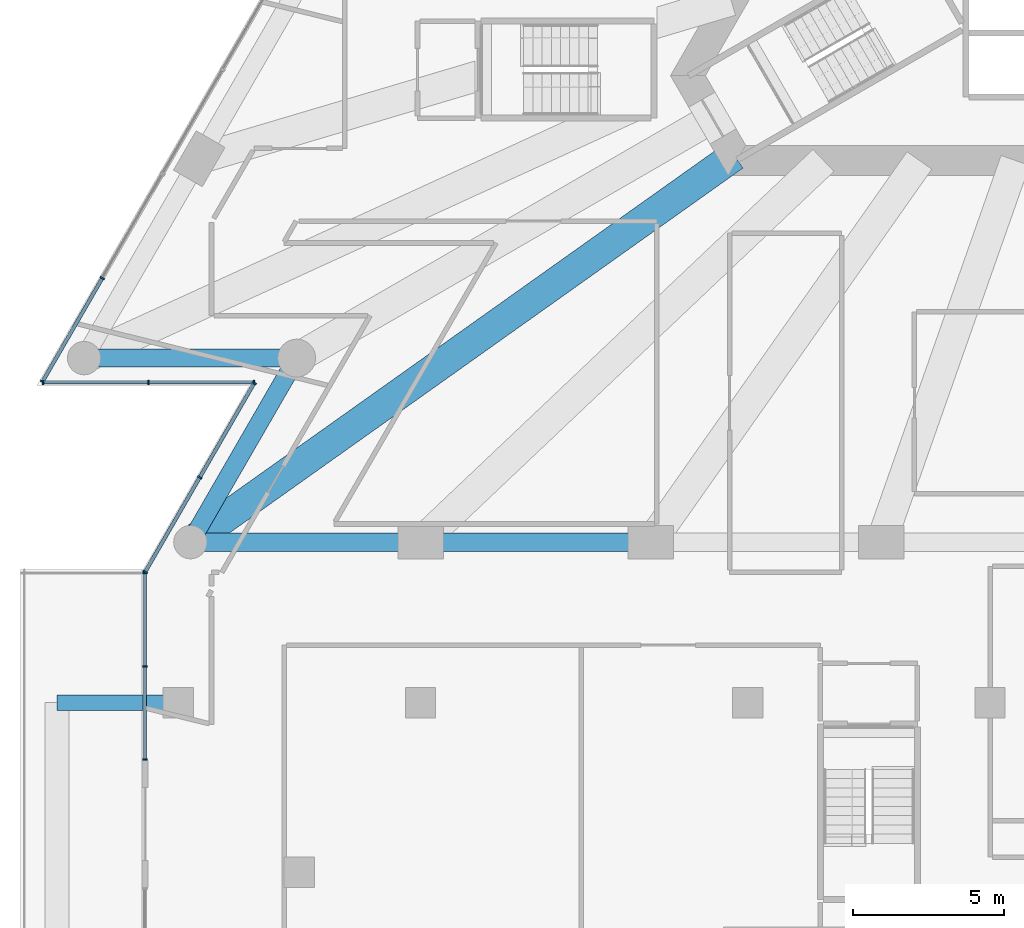
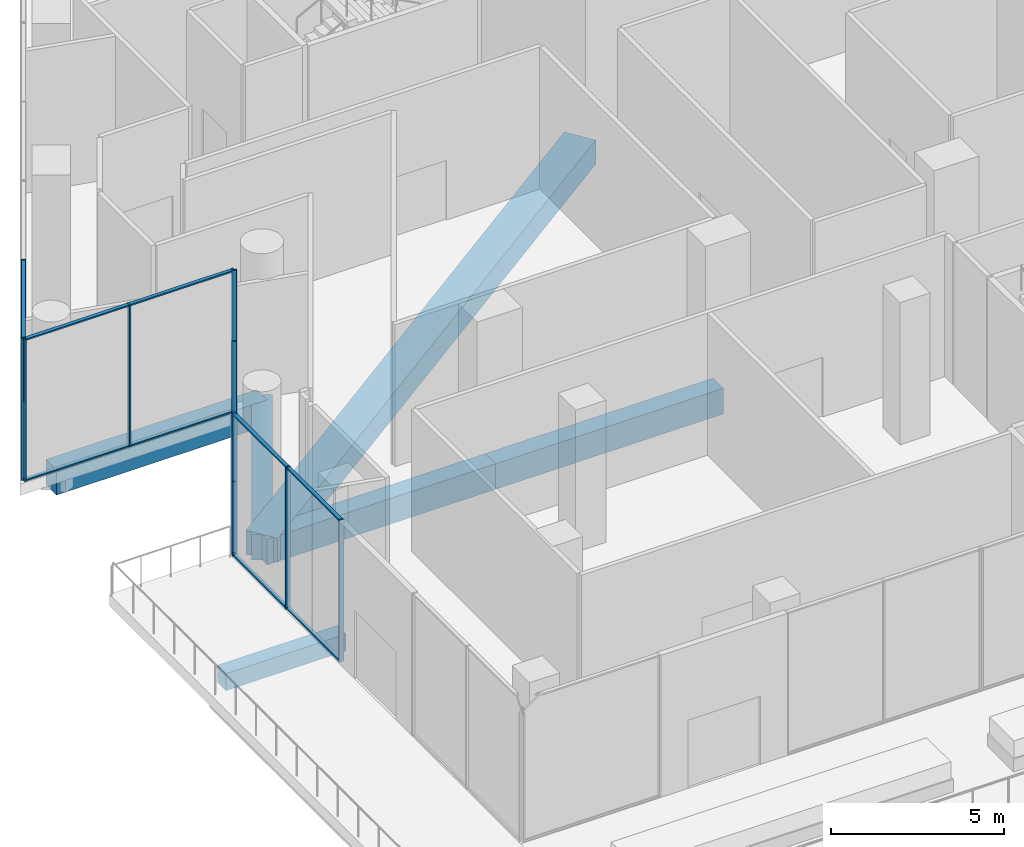
# One storey, part 4 of 32: 25 members, 6 beams, 4 elements without a shape of their own.
"""IFC4 building model written with IfcOpenShell, lengths in metres."""

from ifc_helpers import new_model, si_unit, direction, frame, origin, origin_2d, place, context, subcontext, project, spatial, rectangle, extrude, material, layer, layer_set, material_profile, profile_set, type_object, element, aggregate, save


model = new_model("IFC4")

# Units and contexts
model_context = context("Model", 3, precision=1e-05, world=origin(), true_north=direction((0.0, 1.0)))
body_context = subcontext(model_context, "Body", "Model", "MODEL_VIEW")
ifc_project = project(units=[si_unit("LENGTHUNIT", "METRE"), si_unit("AREAUNIT", "SQUARE_METRE"), si_unit("VOLUMEUNIT", "CUBIC_METRE"), si_unit("PLANEANGLEUNIT", "RADIAN"), si_unit("MASSUNIT", "GRAM", prefix="KILO")], contexts=[model_context])

# Site, building, storey
site_placement = place(None, origin())
site = spatial("IfcSite", under=ifc_project, at=site_placement, CompositionType="ELEMENT")
building_placement = place(site_placement, origin())
building = spatial("IfcBuilding", under=site, at=building_placement, Name="Triada Interchange Tower", CompositionType="ELEMENT")
storey_placement = place(building_placement, frame((0.0, 0.0, 14.5)))
storey = spatial("IfcBuildingStorey", under=building, at=storey_placement, Name="L02", CompositionType="ELEMENT", Elevation=14.5)

# Curtain wall, members
ifc_material_1 = material(Name="Aluminium framed glazing", Category="aluminium")
ifc_layer = layer(ifc_material_1, 0.199951171875)
ifc_layer_set = layer_set([ifc_layer], Name="Curtain wall Retail shopfront")
curtain_wall_type = type_object("IfcCurtainWallType", Name="Curtain wall Retail shopfront", PredefinedType="NOTDEFINED", material=ifc_layer_set)
curtain_wall_1_placement = place(storey_placement, origin())
curtain_wall_1 = element("IfcCurtainWall", 1, at=curtain_wall_1_placement, inside=storey, type_object=curtain_wall_type, Name="Retail shopfront CW030 L02", PredefinedType="NOTDEFINED")
ifc_material_2 = material(Name="Aluminium", Category="aluminium")
ifc_material_profile_1 = material_profile(ifc_material_2, rectangle(XDim=0.14990234375, YDim=0.050048828125, at=origin_2d()), Name="Aluminium mullion")
ifc_profile_set_1 = profile_set([ifc_material_profile_1], Name="Aluminium")
member_type_1 = type_object("IfcMemberType", Name="Mullion Retail shopfront 150x50", PredefinedType="MULLION", material=ifc_profile_set_1)
member_1_placement = place(storey_placement, frame((-33.305908203125, -12.886474609375, 0.0), z_axis=(0.0, 0.0, 1.0), x_axis=(0.86604927658, -0.499958648825, 0.0)))
member_1 = element("IfcMember", 2, at=member_1_placement, type_object=member_type_1, Name="CW030 mullion 2", PredefinedType="MULLION", context=body_context, shape_type="SweptSolid", body=[
    extrude(rectangle(XDim=0.14990234375, YDim=0.050048828125, at=origin_2d()), origin(), (0.0, 0.0, 1.0), 5.0),
])
member_2_placement = place(storey_placement, frame((-35.278564453125, -16.303466796875, 0.0), z_axis=(0.0, 0.0, 1.0), x_axis=(0.86604927658, -0.499958648825, 0.0)))
member_2 = element("IfcMember", 3, at=member_2_placement, type_object=member_type_1, Name="CW030 mullion 3", PredefinedType="MULLION", context=body_context, shape_type="SweptSolid", body=[
    extrude(rectangle(XDim=0.14990234375, YDim=0.050048828125, at=origin_2d()), origin(), (0.0, 0.0, 1.0), 5.0),
])

curtain_wall_2_placement = place(storey_placement, origin())
curtain_wall_2 = element("IfcCurtainWall", 4, at=curtain_wall_2_placement, inside=storey, type_object=curtain_wall_type, Name="Retail shopfront CW031 L02", PredefinedType="NOTDEFINED")
member_3_placement = place(storey_placement, frame((-35.26611328125, -16.324951171875, 0.0), z_axis=(0.0, 0.0, 1.0), x_axis=(0.0, 1.0, 0.0)))
member_3 = element("IfcMember", 5, at=member_3_placement, type_object=member_type_1, Name="CW031 mullion 1", PredefinedType="MULLION", context=body_context, shape_type="SweptSolid", body=[
    extrude(rectangle(XDim=0.14990234375, YDim=0.050048828125, at=origin_2d()), origin(), (0.0, 0.0, 1.0), 5.0),
])
member_4_placement = place(storey_placement, frame((-31.783447265625, -16.324951171875, 0.0), z_axis=(0.0, 0.0, 1.0), x_axis=(0.0, 1.0, 0.0)))
member_4 = element("IfcMember", 6, at=member_4_placement, type_object=member_type_1, Name="CW031 mullion 2", PredefinedType="MULLION", context=body_context, shape_type="SweptSolid", body=[
    extrude(rectangle(XDim=0.14990234375, YDim=0.050048828125, at=origin_2d()), origin(), (0.0, 0.0, 1.0), 5.0),
])
member_5_placement = place(storey_placement, frame((-28.301025390625, -16.324951171875, 0.0), z_axis=(0.0, 0.0, 1.0), x_axis=(0.0, 1.0, 0.0)))
member_5 = element("IfcMember", 7, at=member_5_placement, type_object=member_type_1, Name="CW031 mullion 3", PredefinedType="MULLION", context=body_context, shape_type="SweptSolid", body=[
    extrude(rectangle(XDim=0.14990234375, YDim=0.050048828125, at=origin_2d()), origin(), (0.0, 0.0, 1.0), 5.0),
])

curtain_wall_3_placement = place(storey_placement, origin())
curtain_wall_3 = element("IfcCurtainWall", 8, at=curtain_wall_3_placement, inside=storey, type_object=curtain_wall_type, Name="Retail shopfront CW032 L02", PredefinedType="NOTDEFINED")
member_6_placement = place(storey_placement, frame((-28.28857421875, -16.3466796875, 0.0), z_axis=(0.0, 0.0, 1.0), x_axis=(0.866077569894, -0.499909634761, 0.0)))
member_6 = element("IfcMember", 9, at=member_6_placement, type_object=member_type_1, Name="CW032 mullion 1", PredefinedType="MULLION", context=body_context, shape_type="SweptSolid", body=[
    extrude(rectangle(XDim=0.14990234375, YDim=0.050048828125, at=origin_2d()), origin(), (0.0, 0.0, 1.0), 5.0),
])
member_7_placement = place(storey_placement, frame((-30.0869140625, -19.46240234375, 0.0), z_axis=(0.0, 0.0, 1.0), x_axis=(0.866077569894, -0.499909634761, 0.0)))
member_7 = element("IfcMember", 10, at=member_7_placement, type_object=member_type_1, Name="CW032 mullion 2", PredefinedType="MULLION", context=body_context, shape_type="SweptSolid", body=[
    extrude(rectangle(XDim=0.14990234375, YDim=0.050048828125, at=origin_2d()), origin(), (0.0, 0.0, 1.0), 5.0),
])
member_8_placement = place(storey_placement, frame((-31.885498046875, -22.578369140625, 0.0), z_axis=(0.0, 0.0, 1.0), x_axis=(0.866077569894, -0.499909634761, 0.0)))
member_8 = element("IfcMember", 11, at=member_8_placement, type_object=member_type_1, Name="CW032 mullion 3", PredefinedType="MULLION", context=body_context, shape_type="SweptSolid", body=[
    extrude(rectangle(XDim=0.14990234375, YDim=0.050048828125, at=origin_2d()), origin(), (0.0, 0.0, 1.0), 5.0),
])

curtain_wall_4_placement = place(storey_placement, origin())
curtain_wall_4 = element("IfcCurtainWall", 12, at=curtain_wall_4_placement, inside=storey, type_object=curtain_wall_type, Name="Retail shopfront CW033 L02", PredefinedType="NOTDEFINED")
member_9_placement = place(storey_placement, frame((-31.89990234375, -22.625, 0.0), z_axis=(0.0, 0.0, 1.0), x_axis=(1.0, 0.0, 0.0)))
member_9 = element("IfcMember", 13, at=member_9_placement, type_object=member_type_1, Name="CW033 mullion 1", PredefinedType="MULLION", context=body_context, shape_type="SweptSolid", body=[
    extrude(rectangle(XDim=0.14990234375, YDim=0.050048828125, at=origin_2d()), origin(), (0.0, 0.0, 1.0), 5.0),
])
member_10_placement = place(storey_placement, frame((-31.89990234375, -25.699951171875, 0.0), z_axis=(0.0, 0.0, 1.0), x_axis=(1.0, 0.0, 0.0)))
member_10 = element("IfcMember", 14, at=member_10_placement, type_object=member_type_1, Name="CW033 mullion 2", PredefinedType="MULLION", context=body_context, shape_type="SweptSolid", body=[
    extrude(rectangle(XDim=0.14990234375, YDim=0.050048828125, at=origin_2d()), origin(), (0.0, 0.0, 1.0), 5.0),
])
member_11_placement = place(storey_placement, frame((-31.89990234375, -28.77490234375, 0.0), z_axis=(0.0, 0.0, 1.0), x_axis=(1.0, 0.0, 0.0)))
member_11 = element("IfcMember", 15, at=member_11_placement, type_object=member_type_1, Name="CW033 mullion 3", PredefinedType="MULLION", context=body_context, shape_type="SweptSolid", body=[
    extrude(rectangle(XDim=0.14990234375, YDim=0.050048828125, at=origin_2d()), origin(), (0.0, 0.0, 1.0), 5.0),
])

# Beams
ifc_material_3 = material(Name="Concrete C50/60", Category="concrete")
ifc_material_profile_2 = material_profile(ifc_material_3, rectangle(XDim=1.0, YDim=0.85009765625, at=origin_2d()), Name="RC 1000x850")
ifc_profile_set_2 = profile_set([ifc_material_profile_2], Name="Concrete C50/60")
beam_type_1 = type_object("IfcBeamType", Name="Radial band beam P RC 1000x850", PredefinedType="BEAM", material=ifc_profile_set_2)
beam_1_placement = place(storey_placement, frame((-30.39697265625, -21.60009765625, -0.824951171875), z_axis=(0.815163189691, 0.579231364977, 0.0), x_axis=(-0.579231364977, 0.815163189691, 0.0)))
element("IfcBeam", 16, at=beam_1_placement, inside=storey, type_object=beam_type_1, Name="Radial band beam BP11 L02", PredefinedType="BEAM", context=body_context, shape_type="SweptSolid", body=[
    extrude(rectangle(XDim=1.0, YDim=0.85009765625, at=origin_2d()), origin(), (0.0, 0.0, 1.0), 22.0224609375),
])
ifc_material_profile_3 = material_profile(ifc_material_3, rectangle(XDim=0.60009765625, YDim=0.89990234375, at=origin_2d()), Name="RC 600x900")
ifc_profile_set_3 = profile_set([ifc_material_profile_3], Name="Concrete C50/60")
beam_type_2 = type_object("IfcBeamType", Name="Spandrel beam P RC 600x900", PredefinedType="BEAM", material=ifc_profile_set_3)
beam_2_placement = place(storey_placement, frame((-33.905029296875, -15.52490234375, -0.85009765625), z_axis=(1.0, 0.0, 0.0), x_axis=(0.0, 1.0, 0.0)))
element("IfcBeam", 17, at=beam_2_placement, inside=storey, type_object=beam_type_2, Name="Spandrel beam EP09 L02", PredefinedType="BEAM", context=body_context, shape_type="SweptSolid", body=[
    extrude(rectangle(XDim=0.60009765625, YDim=0.89990234375, at=origin_2d()), origin(), (0.0, 0.0, 1.0), 7.01513671875),
])
beam_3_placement = place(storey_placement, frame((-26.889892578125, -15.52490234375, -0.85009765625), z_axis=(-0.499953429515, -0.866052289597, 0.0), x_axis=(0.866052289597, -0.499953429515, 0.0)))
element("IfcBeam", 18, at=beam_3_placement, inside=storey, type_object=beam_type_2, Name="Spandrel beam EP10 L02", PredefinedType="BEAM", context=body_context, shape_type="SweptSolid", body=[
    extrude(rectangle(XDim=0.60009765625, YDim=0.89990234375, at=origin_2d()), origin(), (0.0, 0.0, 1.0), 7.014892578125),
])
beam_4_placement = place(storey_placement, frame((-30.39697265625, -21.60009765625, -0.85009765625), z_axis=(1.0, 0.0, 0.0), x_axis=(0.0, 1.0, 0.0)))
element("IfcBeam", 19, at=beam_4_placement, inside=storey, type_object=beam_type_2, Name="Spandrel beam EP11 L02", PredefinedType="BEAM", context=body_context, shape_type="SweptSolid", body=[
    extrude(rectangle(XDim=0.60009765625, YDim=0.89990234375, at=origin_2d()), origin(), (0.0, 0.0, 1.0), 7.598876953125),
])
beam_5_placement = place(storey_placement, frame((-22.798095703125, -21.60009765625, -0.85009765625), z_axis=(1.0, 0.0, 0.0), x_axis=(0.0, 1.0, 0.0)))
element("IfcBeam", 20, at=beam_5_placement, inside=storey, type_object=beam_type_2, Name="Spandrel beam EP12 L02", PredefinedType="BEAM", context=body_context, shape_type="SweptSolid", body=[
    extrude(rectangle(XDim=0.60009765625, YDim=0.89990234375, at=origin_2d()), origin(), (0.0, 0.0, 1.0), 7.60009765625),
])
ifc_material_4 = material(Name="Concrete C40/50", Category="concrete")
ifc_material_profile_4 = material_profile(ifc_material_4, rectangle(XDim=0.5, YDim=0.60009765625, at=origin_2d()), Name="RC 500x600")
ifc_profile_set_4 = profile_set([ifc_material_profile_4], Name="Concrete C40/50")
beam_type_3 = type_object("IfcBeamType", Name="Terrace beam RC 500x600", PredefinedType="BEAM", material=ifc_profile_set_4)
beam_6_placement = place(storey_placement, frame((-34.800048828125, -26.89990234375, -0.699951171875), z_axis=(1.0, 0.0, 0.0), x_axis=(0.0, 1.0, 0.0)))
element("IfcBeam", 21, at=beam_6_placement, inside=storey, type_object=beam_type_3, Name="Terrace beam TE03 L02", PredefinedType="BEAM", context=body_context, shape_type="SweptSolid", body=[
    extrude(rectangle(XDim=0.5, YDim=0.60009765625, at=origin_2d()), origin(), (0.0, 0.0, 1.0), 4.0),
])

# Member
ifc_material_profile_5 = material_profile(ifc_material_2, rectangle(XDim=0.1201171875, YDim=0.050048828125, at=origin_2d()), Name="Aluminium transom")
ifc_profile_set_5 = profile_set([ifc_material_profile_5], Name="Aluminium")
member_type_2 = type_object("IfcMemberType", Name="Transom Retail shopfront 120x50", PredefinedType="USERDEFINED", material=ifc_profile_set_5)
member_12_placement = place(storey_placement, frame((-33.318603515625, -12.908203125, 0.02490234375), z_axis=(-0.499961171201, -0.866047820441, 0.0), x_axis=(0.866047820441, -0.499961171201, 0.0)))
member_12 = element("IfcMember", 22, at=member_12_placement, type_object=member_type_2, Name="CW030 transom 2.1", ObjectType="TRANSOM", PredefinedType="USERDEFINED", context=body_context, shape_type="SweptSolid", body=[
    extrude(rectangle(XDim=0.1201171875, YDim=0.050048828125, at=origin_2d()), origin(), (0.0, 0.0, 1.0), 3.895263671875),
])

member_13_placement = place(storey_placement, frame((-33.318603515625, -12.908203125, 4.97509765625), z_axis=(-0.499961171201, -0.866047820441, 0.0), x_axis=(0.866047820441, -0.499961171201, 0.0)))
member_13 = element("IfcMember", 23, at=member_13_placement, type_object=member_type_2, Name="CW030 transom 2.2", ObjectType="TRANSOM", PredefinedType="USERDEFINED", context=body_context, shape_type="SweptSolid", body=[
    extrude(rectangle(XDim=0.1201171875, YDim=0.050048828125, at=origin_2d()), origin(), (0.0, 0.0, 1.0), 3.895263671875),
])

aggregate(curtain_wall_1, [member_1, member_2, member_12, member_13])

member_14_placement = place(storey_placement, frame((-35.240966796875, -16.324951171875, 0.02490234375), z_axis=(1.0, 0.0, 0.0), x_axis=(0.0, 1.0, 0.0)))
member_14 = element("IfcMember", 24, at=member_14_placement, type_object=member_type_2, Name="CW031 transom 1.1", ObjectType="TRANSOM", PredefinedType="USERDEFINED", context=body_context, shape_type="SweptSolid", body=[
    extrude(rectangle(XDim=0.1201171875, YDim=0.050048828125, at=origin_2d()), origin(), (0.0, 0.0, 1.0), 3.432373046875),
])

member_15_placement = place(storey_placement, frame((-35.240966796875, -16.324951171875, 4.97509765625), z_axis=(1.0, 0.0, 0.0), x_axis=(0.0, 1.0, 0.0)))
member_15 = element("IfcMember", 25, at=member_15_placement, type_object=member_type_2, Name="CW031 transom 1.2", ObjectType="TRANSOM", PredefinedType="USERDEFINED", context=body_context, shape_type="SweptSolid", body=[
    extrude(rectangle(XDim=0.1201171875, YDim=0.050048828125, at=origin_2d()), origin(), (0.0, 0.0, 1.0), 3.432373046875),
])

member_16_placement = place(storey_placement, frame((-31.758544921875, -16.324951171875, 0.02490234375), z_axis=(1.0, 0.0, 0.0), x_axis=(0.0, 1.0, 0.0)))
member_16 = element("IfcMember", 26, at=member_16_placement, type_object=member_type_2, Name="CW031 transom 2.1", ObjectType="TRANSOM", PredefinedType="USERDEFINED", context=body_context, shape_type="SweptSolid", body=[
    extrude(rectangle(XDim=0.1201171875, YDim=0.050048828125, at=origin_2d()), origin(), (0.0, 0.0, 1.0), 3.4326171875),
])

member_17_placement = place(storey_placement, frame((-31.758544921875, -16.324951171875, 4.97509765625), z_axis=(1.0, 0.0, 0.0), x_axis=(0.0, 1.0, 0.0)))
member_17 = element("IfcMember", 27, at=member_17_placement, type_object=member_type_2, Name="CW031 transom 2.2", ObjectType="TRANSOM", PredefinedType="USERDEFINED", context=body_context, shape_type="SweptSolid", body=[
    extrude(rectangle(XDim=0.1201171875, YDim=0.050048828125, at=origin_2d()), origin(), (0.0, 0.0, 1.0), 3.4326171875),
])

aggregate(curtain_wall_2, [member_3, member_4, member_5, member_14, member_15, member_16, member_17])

member_18_placement = place(storey_placement, frame((-28.301025390625, -16.368408203125, 0.02490234375), z_axis=(-0.499899187281, -0.866083600212, 0.0), x_axis=(0.866083600212, -0.499899187281, 0.0)))
member_18 = element("IfcMember", 28, at=member_18_placement, type_object=member_type_2, Name="CW032 transom 1.1", ObjectType="TRANSOM", PredefinedType="USERDEFINED", context=body_context, shape_type="SweptSolid", body=[
    extrude(rectangle(XDim=0.1201171875, YDim=0.050048828125, at=origin_2d()), origin(), (0.0, 0.0, 1.0), 3.547607421875),
])

member_19_placement = place(storey_placement, frame((-28.301025390625, -16.368408203125, 4.97509765625), z_axis=(-0.499899187281, -0.866083600212, 0.0), x_axis=(0.866083600212, -0.499899187281, 0.0)))
member_19 = element("IfcMember", 29, at=member_19_placement, type_object=member_type_2, Name="CW032 transom 1.2", ObjectType="TRANSOM", PredefinedType="USERDEFINED", context=body_context, shape_type="SweptSolid", body=[
    extrude(rectangle(XDim=0.1201171875, YDim=0.050048828125, at=origin_2d()), origin(), (0.0, 0.0, 1.0), 3.547607421875),
])

member_20_placement = place(storey_placement, frame((-30.099609375, -19.484130859375, 0.02490234375), z_axis=(-0.499899187281, -0.866083600212, 0.0), x_axis=(0.866083600212, -0.499899187281, 0.0)))
member_20 = element("IfcMember", 30, at=member_20_placement, type_object=member_type_2, Name="CW032 transom 2.1", ObjectType="TRANSOM", PredefinedType="USERDEFINED", context=body_context, shape_type="SweptSolid", body=[
    extrude(rectangle(XDim=0.1201171875, YDim=0.050048828125, at=origin_2d()), origin(), (0.0, 0.0, 1.0), 3.547607421875),
])

member_21_placement = place(storey_placement, frame((-30.099609375, -19.484130859375, 4.97509765625), z_axis=(-0.499899187281, -0.866083600212, 0.0), x_axis=(0.866083600212, -0.499899187281, 0.0)))
member_21 = element("IfcMember", 31, at=member_21_placement, type_object=member_type_2, Name="CW032 transom 2.2", ObjectType="TRANSOM", PredefinedType="USERDEFINED", context=body_context, shape_type="SweptSolid", body=[
    extrude(rectangle(XDim=0.1201171875, YDim=0.050048828125, at=origin_2d()), origin(), (0.0, 0.0, 1.0), 3.547607421875),
])

aggregate(curtain_wall_3, [member_6, member_7, member_8, member_18, member_19, member_20, member_21])

member_22_placement = place(storey_placement, frame((-31.89990234375, -22.64990234375, 0.02490234375), z_axis=(0.0, -1.0, 0.0), x_axis=(1.0, 0.0, 0.0)))
member_22 = element("IfcMember", 32, at=member_22_placement, type_object=member_type_2, Name="CW033 transom 1.1", ObjectType="TRANSOM", PredefinedType="USERDEFINED", context=body_context, shape_type="SweptSolid", body=[
    extrude(rectangle(XDim=0.1201171875, YDim=0.050048828125, at=origin_2d()), origin(), (0.0, 0.0, 1.0), 3.025146484375),
])

member_23_placement = place(storey_placement, frame((-31.89990234375, -22.64990234375, 4.97509765625), z_axis=(0.0, -1.0, 0.0), x_axis=(1.0, 0.0, 0.0)))
member_23 = element("IfcMember", 33, at=member_23_placement, type_object=member_type_2, Name="CW033 transom 1.2", ObjectType="TRANSOM", PredefinedType="USERDEFINED", context=body_context, shape_type="SweptSolid", body=[
    extrude(rectangle(XDim=0.1201171875, YDim=0.050048828125, at=origin_2d()), origin(), (0.0, 0.0, 1.0), 3.025146484375),
])

member_24_placement = place(storey_placement, frame((-31.89990234375, -25.72509765625, 0.02490234375), z_axis=(0.0, -1.0, 0.0), x_axis=(1.0, 0.0, 0.0)))
member_24 = element("IfcMember", 34, at=member_24_placement, type_object=member_type_2, Name="CW033 transom 2.1", ObjectType="TRANSOM", PredefinedType="USERDEFINED", context=body_context, shape_type="SweptSolid", body=[
    extrude(rectangle(XDim=0.1201171875, YDim=0.050048828125, at=origin_2d()), origin(), (0.0, 0.0, 1.0), 3.02490234375),
])

member_25_placement = place(storey_placement, frame((-31.89990234375, -25.72509765625, 4.97509765625), z_axis=(0.0, -1.0, 0.0), x_axis=(1.0, 0.0, 0.0)))
member_25 = element("IfcMember", 35, at=member_25_placement, type_object=member_type_2, Name="CW033 transom 2.2", ObjectType="TRANSOM", PredefinedType="USERDEFINED", context=body_context, shape_type="SweptSolid", body=[
    extrude(rectangle(XDim=0.1201171875, YDim=0.050048828125, at=origin_2d()), origin(), (0.0, 0.0, 1.0), 3.02490234375),
])

aggregate(curtain_wall_4, [member_9, member_10, member_11, member_22, member_23, member_24, member_25])

save(model, "model.ifc")
